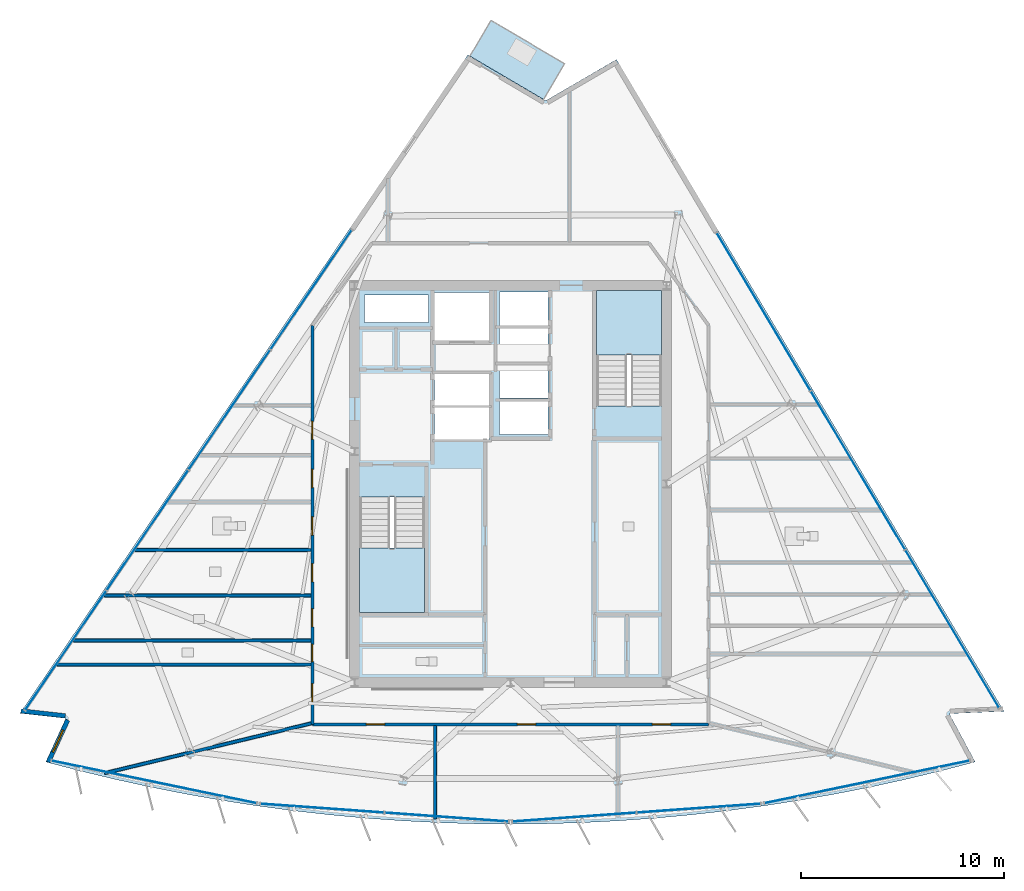
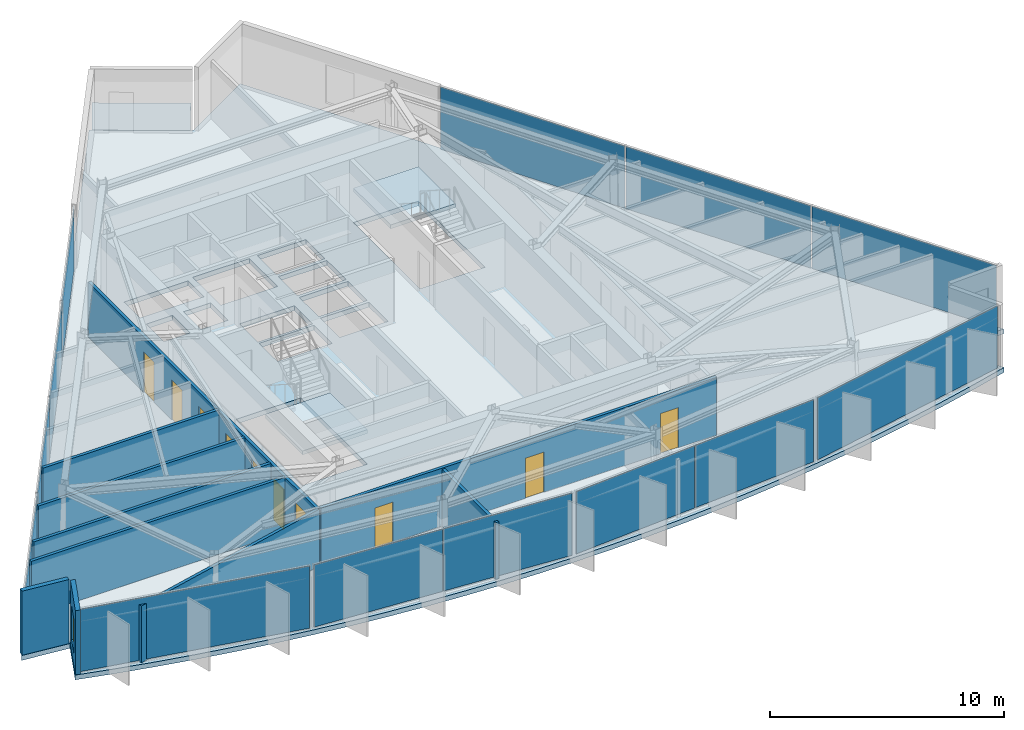
# One storey, part 6 of 13: 13 plates, 10 doors, 10 walls, 4 slabs, 1 window, 11 openings, 8 elements without a shape of their own.
"""IFC4 building model written with IfcOpenShell, lengths in metres."""

from ifc_helpers import new_model, si_unit, direction, frame, frame_2d, origin, origin_2d, place, context, subcontext, project, spatial, polyline, rectangle, outline, extrude, material, layer, layer_set, type_object, element, fill, aggregate, save


model = new_model("IFC4")

# Units and contexts
model_context = context("Model", 3, precision=1e-05, world=origin(), true_north=direction((0.0, 1.0)))
body_context = subcontext(model_context, "Body", "Model", "MODEL_VIEW")
ifc_project = project(units=[si_unit("LENGTHUNIT", "METRE"), si_unit("AREAUNIT", "SQUARE_METRE"), si_unit("VOLUMEUNIT", "CUBIC_METRE"), si_unit("PLANEANGLEUNIT", "RADIAN"), si_unit("MASSUNIT", "GRAM", prefix="KILO")], contexts=[model_context])

# Site, building, storey
site_placement = place(None, origin())
site = spatial("IfcSite", under=ifc_project, at=site_placement, CompositionType="ELEMENT")
building_placement = place(site_placement, origin())
building = spatial("IfcBuilding", under=site, at=building_placement, Name="Savorim Split Tower", CompositionType="ELEMENT")
storey_placement = place(building_placement, frame((0.0, 0.0, 254.39990234375)))
storey = spatial("IfcBuildingStorey", under=building, at=storey_placement, Name="L67", CompositionType="ELEMENT", Elevation=254.39990234375)

# Curtain wall, plate
ifc_material_1 = material(Name="Dark Ceramic-Fritted Insulated Glass", Category="glass")
curtain_wall_type = type_object("IfcCurtainWallType", Name="CW-TWR-FRIT-B", PredefinedType="NOTDEFINED", material=ifc_material_1)
curtain_wall_1_placement = place(storey_placement, origin())
curtain_wall_1 = element("IfcCurtainWall", 1, at=curtain_wall_1_placement, inside=storey, type_object=curtain_wall_type, Name="L67 Curtain Wall CW-L67-SF1", PredefinedType="NOTDEFINED")
ifc_layer_1 = layer(ifc_material_1, 0.02587890625)
ifc_layer_set_1 = layer_set([ifc_layer_1], Name="CWP-FRITB-26")
plate_type = type_object("IfcPlateType", Name="CWP-FRITB-26", PredefinedType="CURTAIN_PANEL", material=ifc_layer_set_1)
plate_1_placement = place(storey_placement, frame((-17.60107421875, -14.31982421875, 0.050048828125), z_axis=(0.0, 0.0, 1.0), x_axis=(0.979135673129, -0.20320761208, 0.0)))
plate_1 = element("IfcPlate", 2, at=plate_1_placement, type_object=plate_type, Name="CW-03 panel 1.1", PredefinedType="CURTAIN_PANEL", context=body_context, shape_type="SweptSolid", body=[
    extrude(rectangle(XDim=10.310302734375, YDim=0.02587890625, at=origin_2d()), origin(), (0.0, 0.0, 1.0), 3.25),
])
aggregate(curtain_wall_1, [plate_1])

# Curtain wall, plates
curtain_wall_2_placement = place(storey_placement, origin())
curtain_wall_2 = element("IfcCurtainWall", 3, at=curtain_wall_2_placement, inside=storey, type_object=curtain_wall_type, Name="L67 Curtain Wall CW-L67-SF2", PredefinedType="NOTDEFINED")
plate_2_placement = place(storey_placement, frame((-9.291748046875, -15.6162109375, 0.050048828125), z_axis=(0.0, 0.0, 1.0), x_axis=(0.997436125678, -0.071562386711, 0.0)))
plate_2 = element("IfcPlate", 4, at=plate_2_placement, type_object=plate_type, Name="CW-03 panel 1.1", PredefinedType="CURTAIN_PANEL", context=body_context, shape_type="SweptSolid", body=[
    extrude(rectangle(XDim=6.09619140625, YDim=0.02587890625, at=origin_2d()), origin(), (0.0, 0.0, 1.0), 3.25),
])
plate_3_placement = place(storey_placement, frame((-3.1513671875, -16.056884765625, 0.050048828125), z_axis=(0.0, 0.0, 1.0), x_axis=(0.997436125678, -0.071562386711, 0.0)))
plate_3 = element("IfcPlate", 5, at=plate_3_placement, type_object=plate_type, Name="CW-03 panel 2.1", PredefinedType="CURTAIN_PANEL", context=body_context, shape_type="SweptSolid", body=[
    extrude(rectangle(XDim=6.09619140625, YDim=0.02587890625, at=origin_2d()), origin(), (0.0, 0.0, 1.0), 3.25),
])
aggregate(curtain_wall_2, [plate_2, plate_3])

curtain_wall_3_placement = place(storey_placement, origin())
curtain_wall_3 = element("IfcCurtainWall", 6, at=curtain_wall_3_placement, inside=storey, type_object=curtain_wall_type, Name="L67 Curtain Wall CW-L67-SF3", PredefinedType="NOTDEFINED")
plate_4_placement = place(storey_placement, frame((3.1513671875, -16.056884765625, 0.050048828125), z_axis=(0.0, 0.0, 1.0), x_axis=(0.997436125678, 0.071562386711, 0.0)))
plate_4 = element("IfcPlate", 7, at=plate_4_placement, type_object=plate_type, Name="CW-03 panel 1.1", PredefinedType="CURTAIN_PANEL", context=body_context, shape_type="SweptSolid", body=[
    extrude(rectangle(XDim=6.09619140625, YDim=0.02587890625, at=origin_2d()), origin(), (0.0, 0.0, 1.0), 3.25),
])
plate_5_placement = place(storey_placement, frame((9.291748046875, -15.6162109375, 0.050048828125), z_axis=(0.0, 0.0, 1.0), x_axis=(0.997436125678, 0.071562386711, 0.0)))
plate_5 = element("IfcPlate", 8, at=plate_5_placement, type_object=plate_type, Name="CW-03 panel 2.1", PredefinedType="CURTAIN_PANEL", context=body_context, shape_type="SweptSolid", body=[
    extrude(rectangle(XDim=6.09619140625, YDim=0.02587890625, at=origin_2d()), origin(), (0.0, 0.0, 1.0), 3.25),
])
aggregate(curtain_wall_3, [plate_4, plate_5])

# Curtain wall, plate
curtain_wall_4_placement = place(storey_placement, origin())
curtain_wall_4 = element("IfcCurtainWall", 9, at=curtain_wall_4_placement, inside=storey, type_object=curtain_wall_type, Name="L67 Curtain Wall CW-L67-SF4", PredefinedType="NOTDEFINED")
plate_6_placement = place(storey_placement, frame((17.60107421875, -14.31982421875, 0.050048828125), z_axis=(0.0, 0.0, 1.0), x_axis=(0.979135673129, 0.20320761208, 0.0)))
plate_6 = element("IfcPlate", 10, at=plate_6_placement, type_object=plate_type, Name="CW-03 panel 1.1", PredefinedType="CURTAIN_PANEL", context=body_context, shape_type="SweptSolid", body=[
    extrude(rectangle(XDim=10.310302734375, YDim=0.02587890625, at=origin_2d()), origin(), (0.0, 0.0, 1.0), 3.25),
])
aggregate(curtain_wall_4, [plate_6])

# Curtain wall, plates
curtain_wall_5_placement = place(storey_placement, origin())
curtain_wall_5 = element("IfcCurtainWall", 11, at=curtain_wall_5_placement, inside=storey, type_object=curtain_wall_type, Name="L67 Curtain Wall CW-L67-EAST", PredefinedType="NOTDEFINED")
plate_7_placement = place(storey_placement, frame((21.8134765625, -6.76904296875, 0.050048828125), z_axis=(0.0, 0.0, 1.0), x_axis=(-0.511090267573, 0.859527043432, 0.0)))
plate_7 = element("IfcPlate", 12, at=plate_7_placement, type_object=plate_type, Name="CW-03 panel 1.1", PredefinedType="CURTAIN_PANEL", context=body_context, shape_type="SweptSolid", body=[
    extrude(rectangle(XDim=9.0380859375, YDim=0.02587890625, at=origin_2d()), origin(), (0.0, 0.0, 1.0), 3.25),
])
plate_8_placement = place(storey_placement, frame((17.15576171875, 1.064208984375, 0.050048828125), z_axis=(0.0, 0.0, 1.0), x_axis=(-0.511090267573, 0.859527043432, 0.0)))
plate_8 = element("IfcPlate", 13, at=plate_8_placement, type_object=plate_type, Name="CW-03 panel 2.1", PredefinedType="CURTAIN_PANEL", context=body_context, shape_type="SweptSolid", body=[
    extrude(rectangle(XDim=9.068115234375, YDim=0.02587890625, at=origin_2d()), origin(), (0.0, 0.0, 1.0), 3.25),
])
plate_9_placement = place(storey_placement, frame((12.498046875, 8.897216796875, 0.050048828125), z_axis=(0.0, 0.0, 1.0), x_axis=(-0.511090267573, 0.859527043432, 0.0)))
plate_9 = element("IfcPlate", 14, at=plate_9_placement, type_object=plate_type, Name="CW-03 panel 3.1", PredefinedType="CURTAIN_PANEL", context=body_context, shape_type="SweptSolid", body=[
    extrude(rectangle(XDim=9.0380859375, YDim=0.02587890625, at=origin_2d()), origin(), (0.0, 0.0, 1.0), 3.25),
])
aggregate(curtain_wall_5, [plate_7, plate_8, plate_9])

curtain_wall_6_placement = place(storey_placement, origin())
curtain_wall_6 = element("IfcCurtainWall", 15, at=curtain_wall_6_placement, inside=storey, type_object=curtain_wall_type, Name="L67 Curtain Wall CW-L67-WEST", PredefinedType="NOTDEFINED")
plate_10_placement = place(storey_placement, frame((-9.847900390625, 9.9853515625, 0.050048828125), z_axis=(0.0, 0.0, 1.0), x_axis=(-0.562470325215, -0.826817472755, 0.0)))
plate_10 = element("IfcPlate", 16, at=plate_10_placement, type_object=plate_type, Name="CW-03 panel 1.1", PredefinedType="CURTAIN_PANEL", context=body_context, shape_type="SweptSolid", body=[
    extrude(rectangle(XDim=7.1015625, YDim=0.02587890625, at=origin_2d()), origin(), (0.0, 0.0, 1.0), 3.25),
])
plate_11_placement = place(storey_placement, frame((-13.884521484375, 4.0517578125, 0.050048828125), z_axis=(0.0, 0.0, 1.0), x_axis=(-0.562470325215, -0.826817472755, 0.0)))
plate_11 = element("IfcPlate", 17, at=plate_11_placement, type_object=plate_type, Name="CW-03 panel 2.1", PredefinedType="CURTAIN_PANEL", context=body_context, shape_type="SweptSolid", body=[
    extrude(rectangle(XDim=7.131591796875, YDim=0.02587890625, at=origin_2d()), origin(), (0.0, 0.0, 1.0), 3.25),
])
plate_12_placement = place(storey_placement, frame((-17.929443359375, -1.894287109375, 0.050048828125), z_axis=(0.0, 0.0, 1.0), x_axis=(-0.562470325215, -0.826817472755, 0.0)))
plate_12 = element("IfcPlate", 18, at=plate_12_placement, type_object=plate_type, Name="CW-03 panel 3.1", PredefinedType="CURTAIN_PANEL", context=body_context, shape_type="SweptSolid", body=[
    extrude(rectangle(XDim=7.131591796875, YDim=0.02587890625, at=origin_2d()), origin(), (0.0, 0.0, 1.0), 3.25),
])
plate_13_placement = place(storey_placement, frame((-21.966064453125, -7.827880859375, 0.050048828125), z_axis=(0.0, 0.0, 1.0), x_axis=(-0.562470325215, -0.826817472755, 0.0)))
plate_13 = element("IfcPlate", 19, at=plate_13_placement, type_object=plate_type, Name="CW-03 panel 4.1", PredefinedType="CURTAIN_PANEL", context=body_context, shape_type="SweptSolid", body=[
    extrude(rectangle(XDim=7.1015625, YDim=0.02587890625, at=origin_2d()), origin(), (0.0, 0.0, 1.0), 3.25),
])
aggregate(curtain_wall_6, [plate_10, plate_11, plate_12, plate_13])

# Slab
ifc_material_2 = material(Name="Concrete C50/60", Category="concrete")
ifc_layer_2 = layer(ifc_material_2, 0.219970703125)
ifc_layer_set_2 = layer_set([ifc_layer_2], Name="SLB-BAL-220")
slab_type_1 = type_object("IfcSlabType", Name="SLB-BAL-220", PredefinedType="FLOOR", material=ifc_layer_set_2)
slab_1_placement = place(storey_placement, frame((0.0, 0.0, -0.219970703125)))
element("IfcSlab", 20, at=slab_1_placement, inside=storey, type_object=slab_type_1, Name="L67 Notched Corner Planted Tree Balcony Slab", PredefinedType="FLOOR", context=body_context, shape_type="SweptSolid", body=[
    extrude(outline(polyline([(-2.001708984375, 21.5205078125), (1.63623046875, 19.38232421875), (2.67236328125, 21.1455078125), (-0.96533203125, 23.283447265625), (-2.001708984375, 21.5205078125)])), origin(), (0.0, 0.0, 1.0), 0.219970703125),
])

# Stair, slab
stair_type = type_object("IfcStairType", Name="STR-DOG-3600", PredefinedType="HALF_TURN_STAIR", material=ifc_material_2)
stair_1_placement = place(storey_placement, origin())
stair_1 = element("IfcStair", 21, at=stair_1_placement, inside=storey, type_object=stair_type, Name="L67 Core Protected Exit Stair ST-1", PredefinedType="HALF_TURN_STAIR")
ifc_layer_3 = layer(ifc_material_2, 0.199951171875)
ifc_layer_set_3 = layer_set([ifc_layer_3], Name="SLB-LND-200")
slab_type_2 = type_object("IfcSlabType", Name="SLB-LND-200", PredefinedType="LANDING", material=ifc_layer_set_3)
slab_2_placement = place(storey_placement, frame((0.0, 0.0, 1.60009765625)))
slab_2 = element("IfcSlab", 22, at=slab_2_placement, type_object=slab_type_2, Name="ST-1 landing 1", PredefinedType="LANDING", context=body_context, shape_type="SweptSolid", body=[
    extrude(outline(polyline([(-7.449951171875, -2.77001953125), (-7.449951171875, -5.949951171875), (-4.25, -5.949951171875), (-4.25, -2.77001953125), (-7.449951171875, -2.77001953125)])), origin(), (0.0, 0.0, 1.0), 0.199951171875),
])
aggregate(stair_1, [slab_2])

stair_2_placement = place(storey_placement, origin())
stair_2 = element("IfcStair", 23, at=stair_2_placement, inside=storey, type_object=stair_type, Name="L67 Core Protected Exit Stair ST-2", PredefinedType="HALF_TURN_STAIR")
slab_3_placement = place(storey_placement, frame((0.0, 0.0, 1.60009765625)))
slab_3 = element("IfcSlab", 24, at=slab_3_placement, type_object=slab_type_2, Name="ST-2 landing 1", PredefinedType="LANDING", context=body_context, shape_type="SweptSolid", body=[
    extrude(outline(polyline([(7.449951171875, 6.77001953125), (7.449951171875, 9.949951171875), (4.25, 9.949951171875), (4.25, 6.77001953125), (7.449951171875, 6.77001953125)])), origin(), (0.0, 0.0, 1.0), 0.199951171875),
])
aggregate(stair_2, [slab_3])

# Slab
ifc_layer_4 = layer(ifc_material_2, 0.25)
ifc_layer_set_4 = layer_set([ifc_layer_4], Name="SLB-TWR-250")
slab_type_3 = type_object("IfcSlabType", Name="SLB-TWR-250", PredefinedType="FLOOR", material=ifc_layer_set_4)
slab_4_placement = place(storey_placement, frame((0.0, 0.0, -0.25)))
element("IfcSlab", 25, at=slab_4_placement, inside=storey, type_object=slab_type_3, Name="L67 Structural Floor Slab", PredefinedType="FLOOR", context=body_context, shape_type="SweptSolid", body=[
    extrude(outline(polyline([(-22.947265625, -13.332763671875), (-21.21923828125, -13.78466796875), (-19.482421875, -14.201171875), (-17.7373046875, -14.58203125), (-15.984619140625, -14.927001953125), (-14.2255859375, -15.236083984375), (-12.46044921875, -15.50927734375), (-10.690185546875, -15.74609375), (-8.915283203125, -15.94677734375), (-7.13671875, -16.111083984375), (-5.35498046875, -16.23876953125), (-3.5712890625, -16.330078125), (-1.785888671875, -16.385009765625), (0.0, -16.4033203125), (1.785888671875, -16.385009765625), (3.5712890625, -16.330078125), (5.35498046875, -16.23876953125), (7.13671875, -16.111083984375), (8.915283203125, -15.94677734375), (10.690185546875, -15.74609375), (12.46044921875, -15.50927734375), (14.2255859375, -15.236083984375), (15.984619140625, -14.927001953125), (17.7373046875, -14.58203125), (19.482421875, -14.201171875), (21.21923828125, -13.78466796875), (22.947265625, -13.332763671875), (21.667236328125, -10.947509765625), (24.369384765625, -10.83251953125), (5.23095703125, 21.353515625), (1.7373046875, 19.317138671875), (-2.107666015625, 21.576904296875), (-24.219970703125, -10.927734375), (-21.958251953125, -11.180419921875), (-22.947265625, -13.332763671875)]), holes=[polyline([(-7.449951171875, -0.25390625), (-7.449951171875, -5.949951171875), (-4.25, -5.949951171875), (-4.25, -0.25390625), (-7.449951171875, -0.25390625)]), polyline([(7.449951171875, 4.25390625), (7.449951171875, 9.949951171875), (4.25, 9.949951171875), (4.25, 4.25390625), (7.449951171875, 4.25390625)]), polyline([(-0.550048828125, 2.830078125), (1.85009765625, 2.830078125), (1.85009765625, 4.469970703125), (-0.550048828125, 4.469970703125), (-0.550048828125, 2.830078125)]), polyline([(-0.550048828125, 4.6298828125), (1.85009765625, 4.6298828125), (1.85009765625, 6.27001953125), (-0.550048828125, 6.27001953125), (-0.550048828125, 4.6298828125)]), polyline([(-0.550048828125, 6.429931640625), (1.85009765625, 6.429931640625), (1.85009765625, 8.070068359375), (-0.550048828125, 8.070068359375), (-0.550048828125, 6.429931640625)]), polyline([(-0.550048828125, 8.22998046875), (1.85009765625, 8.22998046875), (1.85009765625, 9.8701171875), (-0.550048828125, 9.8701171875), (-0.550048828125, 8.22998046875)]), polyline([(-3.75, 2.60009765625), (-1.050048828125, 2.60009765625), (-1.050048828125, 4.159912109375), (-3.75, 4.159912109375), (-3.75, 2.60009765625)]), polyline([(-3.75, 4.280029296875), (-1.050048828125, 4.280029296875), (-1.050048828125, 5.840087890625), (-3.75, 5.840087890625), (-3.75, 4.280029296875)]), polyline([(-3.75, 7.449951171875), (-0.949951171875, 7.449951171875), (-0.949951171875, 9.85009765625), (-3.75, 9.85009765625), (-3.75, 7.449951171875)]), polyline([(-7.219970703125, 6.320068359375), (-5.919921875, 6.320068359375), (-5.919921875, 7.820068359375), (-7.219970703125, 7.820068359375), (-7.219970703125, 6.320068359375)]), polyline([(-5.3798828125, 6.320068359375), (-4.050048828125, 6.320068359375), (-4.050048828125, 7.820068359375), (-5.3798828125, 7.820068359375), (-5.3798828125, 6.320068359375)]), polyline([(-7.219970703125, 8.360107421875), (-4.050048828125, 8.360107421875), (-4.050048828125, 9.719970703125), (-7.219970703125, 9.719970703125), (-7.219970703125, 8.360107421875)])]), origin(), (0.0, 0.0, 1.0), 0.25),
])

# Wall
ifc_material_3 = material(Name="Precast concrete C40/50", Category="concrete")
ifc_layer_5 = layer(ifc_material_3, 0.219970703125)
ifc_layer_set_5 = layer_set([ifc_layer_5], Name="WAL-EXT-CRN220")
wall_type_1 = type_object("IfcWallType", Name="WAL-EXT-CRN220", PredefinedType="SOLIDWALL", material=ifc_layer_set_5)
wall_1_placement = place(storey_placement, frame((-21.984619140625, -11.056640625, 0.0), z_axis=(0.0, 0.0, 1.0), x_axis=(-0.993823926228, 0.110968480463, 0.0)))
element("IfcWall", 26, at=wall_1_placement, inside=storey, type_object=wall_type_1, Name="L67 Notched Corner Facade Wall SW1", PredefinedType="SOLIDWALL", context=body_context, shape_type="SweptSolid", body=[
    extrude(rectangle(XDim=2.19580078125, YDim=0.219970703125, at=frame_2d((1.097900390625, 0.0))), origin(), (0.0, 0.0, 1.0), 3.35009765625),
])

# Wall, opening, window
wall_2_placement = place(storey_placement, frame((-22.821533203125, -13.3466796875, 0.0), z_axis=(0.0, 0.0, 1.0), x_axis=(0.417447808253, 0.908700900949, 0.0)))
wall_2 = element("IfcWall", 27, at=wall_2_placement, inside=storey, type_object=wall_type_1, Name="L67 Notched Corner Facade Wall SW", PredefinedType="SOLIDWALL", context=body_context, shape_type="SweptSolid", body=[
    extrude(rectangle(XDim=2.2890625, YDim=0.219970703125, at=frame_2d((1.14453125, 0.0))), origin(), (0.0, 0.0, 1.0), 3.35009765625),
])
opening_1_placement = place(wall_2_placement, frame((0.54443359375, 0.0, 0.6201171875)))
opening_1 = element("IfcOpeningElement", 28, at=opening_1_placement, cuts=wall_2, Name="Opening WN-08", PredefinedType="OPENING", context=body_context, shape_type="SweptSolid", body=[
    extrude(rectangle(XDim=1.199951171875, YDim=1.800048828125, at=frame_2d((0.60009765625, 0.89990234375))), frame((0.0, 0.119873046875, 0.0), z_axis=(0.0, -1.0, 0.0), x_axis=(1.0, 0.0, 0.0)), (0.0, 0.0, 1.0), 0.239990234375),
])
ifc_material_4 = material(Name="Low-E Operable Double Glazing", Category="glass")
window_type = type_object("IfcWindowType", Name="WIN-TWR-1200x1800", PartitioningType="SINGLE_PANEL", PredefinedType="WINDOW", material=ifc_material_4)
window_placement = place(opening_1_placement, origin())
window = element("IfcWindow", 29, at=window_placement, inside=storey, type_object=window_type, Name="L67 Operable Corner Window SW", OverallHeight=1.800048828125, OverallWidth=1.199951171875, PartitioningType="SINGLE_PANEL", PredefinedType="WINDOW", context=body_context, shape_type="SweptSolid", body=[
    extrude(rectangle(XDim=1.199951171875, YDim=1.800048828125, at=frame_2d((0.60009765625, 0.89990234375))), frame((0.0, 0.030029296875, 0.0), z_axis=(0.0, -1.0, 0.0), x_axis=(1.0, 0.0, 0.0)), (0.0, 0.0, 1.0), 0.06005859375),
])
fill(opening_1, window)

# Wall, openings, doors
ifc_material_5 = material(Name="Acoustic Gypsum Partition Board")
ifc_layer_6 = layer(ifc_material_5, 0.14990234375)
ifc_layer_set_6 = layer_set([ifc_layer_6], Name="WAL-PAR-150")
wall_type_2 = type_object("IfcWallType", Name="WAL-PAR-150", PredefinedType="PARTITIONING", material=ifc_layer_set_6)
wall_3_placement = place(storey_placement, frame((-9.780029296875, -11.47998046875, 0.0), z_axis=(0.0, 0.0, 1.0), x_axis=(0.0, 1.0, 0.0)))
wall_3 = element("IfcWall", 30, at=wall_3_placement, inside=storey, type_object=wall_type_2, Name="L67 Partition W-L67-COR-01", PredefinedType="PARTITIONING", context=body_context, shape_type="SweptSolid", body=[
    extrude(rectangle(XDim=19.705810546875, YDim=0.14990234375, at=frame_2d((9.85302734375, 0.0))), origin(), (0.0, 0.0, 1.0), 2.875),
])
opening_2_placement = place(wall_3_placement, frame((9.347412109375, 0.0, 0.0)))
opening_2 = element("IfcOpeningElement", 31, at=opening_2_placement, cuts=wall_3, Name="Opening DI-11", PredefinedType="OPENING", context=body_context, shape_type="SweptSolid", body=[
    extrude(rectangle(XDim=0.89990234375, YDim=2.10009765625, at=frame_2d((0.449951171875, 1.050048828125))), frame((0.0, 0.0849609375, 0.0), z_axis=(0.0, -1.0, 0.0), x_axis=(1.0, 0.0, 0.0)), (0.0, 0.0, 1.0), 0.169921875),
])
opening_3_placement = place(wall_3_placement, frame((7.040771484375, 0.0, 0.0)))
opening_3 = element("IfcOpeningElement", 32, at=opening_3_placement, cuts=wall_3, Name="Opening DI-06", PredefinedType="OPENING", context=body_context, shape_type="SweptSolid", body=[
    extrude(rectangle(XDim=0.89990234375, YDim=2.10009765625, at=frame_2d((0.449951171875, 1.050048828125))), frame((0.0, 0.0849609375, 0.0), z_axis=(0.0, -1.0, 0.0), x_axis=(1.0, 0.0, 0.0)), (0.0, 0.0, 1.0), 0.169921875),
])
opening_4_placement = place(wall_3_placement, frame((4.81103515625, 0.0, 0.0)))
opening_4 = element("IfcOpeningElement", 33, at=opening_4_placement, cuts=wall_3, Name="Opening DI-06", PredefinedType="OPENING", context=body_context, shape_type="SweptSolid", body=[
    extrude(rectangle(XDim=0.89990234375, YDim=2.10009765625, at=frame_2d((0.449951171875, 1.050048828125))), frame((0.0, 0.0849609375, 0.0), z_axis=(0.0, -1.0, 0.0), x_axis=(1.0, 0.0, 0.0)), (0.0, 0.0, 1.0), 0.169921875),
])
opening_5_placement = place(wall_3_placement, frame((3.09912109375, 0.0, 0.0)))
opening_5 = element("IfcOpeningElement", 34, at=opening_5_placement, cuts=wall_3, Name="Opening DI-13", PredefinedType="OPENING", context=body_context, shape_type="SweptSolid", body=[
    extrude(rectangle(XDim=0.85009765625, YDim=2.10009765625, at=frame_2d((0.425048828125, 1.050048828125))), frame((0.0, 0.0849609375, 0.0), z_axis=(0.0, -1.0, 0.0), x_axis=(1.0, 0.0, 0.0)), (0.0, 0.0, 1.0), 0.169921875),
])
opening_6_placement = place(wall_3_placement, frame((1.1142578125, 0.0, 0.0)))
opening_6 = element("IfcOpeningElement", 35, at=opening_6_placement, cuts=wall_3, Name="Opening DI-06", PredefinedType="OPENING", context=body_context, shape_type="SweptSolid", body=[
    extrude(rectangle(XDim=0.89990234375, YDim=2.10009765625, at=frame_2d((0.449951171875, 1.050048828125))), frame((0.0, 0.0849609375, 0.0), z_axis=(0.0, -1.0, 0.0), x_axis=(1.0, 0.0, 0.0)), (0.0, 0.0, 1.0), 0.169921875),
])
opening_7_placement = place(wall_3_placement, frame((14.070068359375, 0.0, 0.0)))
opening_7 = element("IfcOpeningElement", 36, at=opening_7_placement, cuts=wall_3, Name="Opening DI-06", PredefinedType="OPENING", context=body_context, shape_type="SweptSolid", body=[
    extrude(rectangle(XDim=0.89990234375, YDim=2.10009765625, at=frame_2d((0.449951171875, 1.050048828125))), frame((0.0, 0.0849609375, 0.0), z_axis=(0.0, -1.0, 0.0), x_axis=(1.0, 0.0, 0.0)), (0.0, 0.0, 1.0), 0.169921875),
])
opening_8_placement = place(wall_3_placement, frame((11.6904296875, 0.0, 0.0)))
opening_8 = element("IfcOpeningElement", 37, at=opening_8_placement, cuts=wall_3, Name="Opening DI-06", PredefinedType="OPENING", context=body_context, shape_type="SweptSolid", body=[
    extrude(rectangle(XDim=0.89990234375, YDim=2.10009765625, at=frame_2d((0.449951171875, 1.050048828125))), frame((0.0, 0.0849609375, 0.0), z_axis=(0.0, -1.0, 0.0), x_axis=(1.0, 0.0, 0.0)), (0.0, 0.0, 1.0), 0.169921875),
])
ifc_material_6 = material(Name="Timber Fire Door Leaf", Category="wood")
door_type_1 = type_object("IfcDoorType", Name="DOR-FIR-850", OperationType="NOTDEFINED", PredefinedType="DOOR", material=ifc_material_6)
door_1_placement = place(opening_5_placement, origin())
door_1 = element("IfcDoor", 38, at=door_1_placement, inside=storey, type_object=door_type_1, Name="DR-L67-RM04 - L67 Community Laundry Room Entry Door", OperationType="SINGLE_SWING_LEFT", OverallHeight=2.10009765625, OverallWidth=0.85009765625, PredefinedType="DOOR", context=body_context, shape_type="SweptSolid", body=[
    extrude(rectangle(XDim=0.85009765625, YDim=2.10009765625, at=frame_2d((0.425048828125, 1.050048828125))), frame((0.0, 0.02490234375, 0.0), z_axis=(0.0, -1.0, 0.0), x_axis=(1.0, 0.0, 0.0)), (0.0, 0.0, 1.0), 0.050048828125),
])
fill(opening_5, door_1)
door_type_2 = type_object("IfcDoorType", Name="DOR-FIR-900", OperationType="NOTDEFINED", PredefinedType="DOOR", material=ifc_material_6)
door_2_placement = place(opening_3_placement, origin())
door_2 = element("IfcDoor", 39, at=door_2_placement, inside=storey, type_object=door_type_2, Name="DR-L67-RM02 - L67 Shared Kitchen Entry Door", OperationType="SINGLE_SWING_LEFT", OverallHeight=2.10009765625, OverallWidth=0.89990234375, PredefinedType="DOOR", context=body_context, shape_type="SweptSolid", body=[
    extrude(rectangle(XDim=0.89990234375, YDim=2.10009765625, at=frame_2d((0.449951171875, 1.050048828125))), frame((0.0, 0.02490234375, 0.0), z_axis=(0.0, -1.0, 0.0), x_axis=(1.0, 0.0, 0.0)), (0.0, 0.0, 1.0), 0.050048828125),
])
fill(opening_3, door_2)
door_3_placement = place(opening_4_placement, origin())
door_3 = element("IfcDoor", 40, at=door_3_placement, inside=storey, type_object=door_type_2, Name="DR-L67-RM03 - L67 Shared Kitchen Entry Door", OperationType="SINGLE_SWING_RIGHT", OverallHeight=2.10009765625, OverallWidth=0.89990234375, PredefinedType="DOOR", context=body_context, shape_type="SweptSolid", body=[
    extrude(rectangle(XDim=0.89990234375, YDim=2.10009765625, at=frame_2d((0.449951171875, 1.050048828125))), frame((0.0, 0.02490234375, 0.0), z_axis=(0.0, -1.0, 0.0), x_axis=(1.0, 0.0, 0.0)), (0.0, 0.0, 1.0), 0.050048828125),
])
fill(opening_4, door_3)
door_4_placement = place(opening_6_placement, origin())
door_4 = element("IfcDoor", 41, at=door_4_placement, inside=storey, type_object=door_type_2, Name="DR-L67-RM05 - L67 Co-Working Commons Entry Door", OperationType="SINGLE_SWING_RIGHT", OverallHeight=2.10009765625, OverallWidth=0.89990234375, PredefinedType="DOOR", context=body_context, shape_type="SweptSolid", body=[
    extrude(rectangle(XDim=0.89990234375, YDim=2.10009765625, at=frame_2d((0.449951171875, 1.050048828125))), frame((0.0, 0.02490234375, 0.0), z_axis=(0.0, -1.0, 0.0), x_axis=(1.0, 0.0, 0.0)), (0.0, 0.0, 1.0), 0.050048828125),
])
fill(opening_6, door_4)
door_5_placement = place(opening_7_placement, origin())
door_5 = element("IfcDoor", 42, at=door_5_placement, inside=storey, type_object=door_type_2, Name="DR-L67-RM19 - L67 Co-Living Bedroom Entry Door", OperationType="SINGLE_SWING_RIGHT", OverallHeight=2.10009765625, OverallWidth=0.89990234375, PredefinedType="DOOR", context=body_context, shape_type="SweptSolid", body=[
    extrude(rectangle(XDim=0.89990234375, YDim=2.10009765625, at=frame_2d((0.449951171875, 1.050048828125))), frame((0.0, 0.02490234375, 0.0), z_axis=(0.0, -1.0, 0.0), x_axis=(1.0, 0.0, 0.0)), (0.0, 0.0, 1.0), 0.050048828125),
])
fill(opening_7, door_5)
door_6_placement = place(opening_8_placement, origin())
door_6 = element("IfcDoor", 43, at=door_6_placement, inside=storey, type_object=door_type_2, Name="DR-L67-RM20 - L67 Quiet Study Room Entry Door", OperationType="SINGLE_SWING_LEFT", OverallHeight=2.10009765625, OverallWidth=0.89990234375, PredefinedType="DOOR", context=body_context, shape_type="SweptSolid", body=[
    extrude(rectangle(XDim=0.89990234375, YDim=2.10009765625, at=frame_2d((0.449951171875, 1.050048828125))), frame((0.0, 0.02490234375, 0.0), z_axis=(0.0, -1.0, 0.0), x_axis=(1.0, 0.0, 0.0)), (0.0, 0.0, 1.0), 0.050048828125),
])
fill(opening_8, door_6)
ifc_material_7 = material(Name="Oak Veneer Acoustic Door")
door_type_3 = type_object("IfcDoorType", Name="DOR-WC-900", OperationType="NOTDEFINED", PredefinedType="DOOR", material=ifc_material_7)
door_7_placement = place(opening_2_placement, origin())
door_7 = element("IfcDoor", 44, at=door_7_placement, inside=storey, type_object=door_type_3, Name="DR-L67-RM01 - L67 Shared Bathroom Entry Door", OperationType="SINGLE_SWING_RIGHT", OverallHeight=2.10009765625, OverallWidth=0.89990234375, PredefinedType="DOOR", context=body_context, shape_type="SweptSolid", body=[
    extrude(rectangle(XDim=0.89990234375, YDim=2.10009765625, at=frame_2d((0.449951171875, 1.050048828125))), frame((0.0, 0.02490234375, 0.0), z_axis=(0.0, -1.0, 0.0), x_axis=(1.0, 0.0, 0.0)), (0.0, 0.0, 1.0), 0.050048828125),
])
fill(opening_2, door_7)

wall_4_placement = place(storey_placement, frame((9.780029296875, -11.47998046875, 0.0), z_axis=(0.0, 0.0, 1.0), x_axis=(-1.0, 0.0, 0.0)))
wall_4 = element("IfcWall", 45, at=wall_4_placement, inside=storey, type_object=wall_type_2, Name="L67 Partition W-L67-COR-06", PredefinedType="PARTITIONING", context=body_context, shape_type="SweptSolid", body=[
    extrude(rectangle(XDim=19.56005859375, YDim=0.14990234375, at=frame_2d((9.780029296875, 0.0))), origin(), (0.0, 0.0, 1.0), 3.025146484375),
])
opening_9_placement = place(wall_4_placement, frame((15.990234375, 0.0, 0.0)))
opening_9 = element("IfcOpeningElement", 46, at=opening_9_placement, cuts=wall_4, Name="Opening DI-06", PredefinedType="OPENING", context=body_context, shape_type="SweptSolid", body=[
    extrude(rectangle(XDim=0.89990234375, YDim=2.10009765625, at=frame_2d((0.449951171875, 1.050048828125))), frame((0.0, 0.0849609375, 0.0), z_axis=(0.0, -1.0, 0.0), x_axis=(1.0, 0.0, 0.0)), (0.0, 0.0, 1.0), 0.169921875),
])
opening_10_placement = place(wall_4_placement, frame((8.538818359375, 0.0, 0.0)))
opening_10 = element("IfcOpeningElement", 47, at=opening_10_placement, cuts=wall_4, Name="Opening DI-06", PredefinedType="OPENING", context=body_context, shape_type="SweptSolid", body=[
    extrude(rectangle(XDim=0.89990234375, YDim=2.10009765625, at=frame_2d((0.449951171875, 1.050048828125))), frame((0.0, 0.0849609375, 0.0), z_axis=(0.0, -1.0, 0.0), x_axis=(1.0, 0.0, 0.0)), (0.0, 0.0, 1.0), 0.169921875),
])
opening_11_placement = place(wall_4_placement, frame((1.878662109375, 0.0, 0.0)))
opening_11 = element("IfcOpeningElement", 48, at=opening_11_placement, cuts=wall_4, Name="Opening DI-06", PredefinedType="OPENING", context=body_context, shape_type="SweptSolid", body=[
    extrude(rectangle(XDim=0.89990234375, YDim=2.10009765625, at=frame_2d((0.449951171875, 1.050048828125))), frame((0.0, 0.0849609375, 0.0), z_axis=(0.0, -1.0, 0.0), x_axis=(1.0, 0.0, 0.0)), (0.0, 0.0, 1.0), 0.169921875),
])
door_8_placement = place(opening_9_placement, origin())
door_8 = element("IfcDoor", 49, at=door_8_placement, inside=storey, type_object=door_type_2, Name="DR-L67-RM06 - L67 Maker Workshop Entry Door", OperationType="SINGLE_SWING_LEFT", OverallHeight=2.10009765625, OverallWidth=0.89990234375, PredefinedType="DOOR", context=body_context, shape_type="SweptSolid", body=[
    extrude(rectangle(XDim=0.89990234375, YDim=2.10009765625, at=frame_2d((0.449951171875, 1.050048828125))), frame((0.0, 0.02490234375, 0.0), z_axis=(0.0, -1.0, 0.0), x_axis=(1.0, 0.0, 0.0)), (0.0, 0.0, 1.0), 0.050048828125),
])
fill(opening_9, door_8)
door_9_placement = place(opening_10_placement, origin())
door_9 = element("IfcDoor", 50, at=door_9_placement, inside=storey, type_object=door_type_2, Name="DR-L67-RM07 - L67 Co-Working Commons Entry Door", OperationType="SINGLE_SWING_RIGHT", OverallHeight=2.10009765625, OverallWidth=0.89990234375, PredefinedType="DOOR", context=body_context, shape_type="SweptSolid", body=[
    extrude(rectangle(XDim=0.89990234375, YDim=2.10009765625, at=frame_2d((0.449951171875, 1.050048828125))), frame((0.0, 0.02490234375, 0.0), z_axis=(0.0, -1.0, 0.0), x_axis=(1.0, 0.0, 0.0)), (0.0, 0.0, 1.0), 0.050048828125),
])
fill(opening_10, door_9)
door_10_placement = place(opening_11_placement, origin())
door_10 = element("IfcDoor", 51, at=door_10_placement, inside=storey, type_object=door_type_2, Name="DR-L67-RM08 - L67 Maker Workshop Entry Door", OperationType="SINGLE_SWING_LEFT", OverallHeight=2.10009765625, OverallWidth=0.89990234375, PredefinedType="DOOR", context=body_context, shape_type="SweptSolid", body=[
    extrude(rectangle(XDim=0.89990234375, YDim=2.10009765625, at=frame_2d((0.449951171875, 1.050048828125))), frame((0.0, 0.02490234375, 0.0), z_axis=(0.0, -1.0, 0.0), x_axis=(1.0, 0.0, 0.0)), (0.0, 0.0, 1.0), 0.050048828125),
])
fill(opening_11, door_10)

# Walls
wall_5_placement = place(storey_placement, frame((-9.8369140625, -11.42724609375, 0.0), z_axis=(0.0, 0.0, 1.0), x_axis=(-0.972169477142, -0.234278696671, 0.0)))
element("IfcWall", 52, at=wall_5_placement, inside=storey, type_object=wall_type_2, Name="L67 Partition W-L67-PRAD01", PredefinedType="PARTITIONING", context=body_context, shape_type="SweptSolid", body=[
    extrude(rectangle(XDim=10.509521484375, YDim=0.14990234375, at=frame_2d((5.2548828125, 0.0))), origin(), (0.0, 0.0, 1.0), 2.965087890625),
])
wall_6_placement = place(storey_placement, frame((-9.840087890625, -5.10595703125, 0.0), z_axis=(0.0, 0.0, 1.0), x_axis=(-1.0, 0.0, 0.0)))
element("IfcWall", 53, at=wall_6_placement, inside=storey, type_object=wall_type_2, Name="L67 Partition W-L67-PRAD10", PredefinedType="PARTITIONING", context=body_context, shape_type="SweptSolid", body=[
    extrude(rectangle(XDim=10.213623046875, YDim=0.14990234375, at=frame_2d((5.10693359375, 0.0))), origin(), (0.0, 0.0, 1.0), 2.875),
])
wall_7_placement = place(storey_placement, frame((-9.840087890625, -8.52978515625, 0.0), z_axis=(0.0, 0.0, 1.0), x_axis=(-1.0, 0.0, 0.0)))
element("IfcWall", 54, at=wall_7_placement, inside=storey, type_object=wall_type_2, Name="L67 Partition W-L67-SUB02", PredefinedType="PARTITIONING", context=body_context, shape_type="SweptSolid", body=[
    extrude(rectangle(XDim=12.54296875, YDim=0.14990234375, at=frame_2d((6.271484375, 0.0))), origin(), (0.0, 0.0, 1.0), 2.875),
])
wall_8_placement = place(storey_placement, frame((-9.840087890625, -2.87255859375, 0.0), z_axis=(0.0, 0.0, 1.0), x_axis=(-1.0, 0.0, 0.0)))
element("IfcWall", 55, at=wall_8_placement, inside=storey, type_object=wall_type_2, Name="L67 Partition W-L67-SUB05", PredefinedType="PARTITIONING", context=body_context, shape_type="SweptSolid", body=[
    extrude(rectangle(XDim=8.6943359375, YDim=0.14990234375, at=frame_2d((4.34716796875, 0.0))), origin(), (0.0, 0.0, 1.0), 2.965087890625),
])
wall_9_placement = place(storey_placement, frame((-9.840087890625, -7.33203125, 0.0), z_axis=(0.0, 0.0, 1.0), x_axis=(-1.0, 0.0, 0.0)))
element("IfcWall", 56, at=wall_9_placement, inside=storey, type_object=wall_type_2, Name="L67 Partition W-L67-SUB06", PredefinedType="PARTITIONING", context=body_context, shape_type="SweptSolid", body=[
    extrude(rectangle(XDim=11.72802734375, YDim=0.14990234375, at=frame_2d((5.864013671875, 0.0))), origin(), (0.0, 0.0, 1.0), 2.875),
])
wall_10_placement = place(storey_placement, frame((-3.71875, -11.5400390625, 0.0), z_axis=(0.0, 0.0, 1.0), x_axis=(0.0, -1.0, 0.0)))
element("IfcWall", 57, at=wall_10_placement, inside=storey, type_object=wall_type_2, Name="L67 Partition W-L67-SUB07", PredefinedType="PARTITIONING", context=body_context, shape_type="SweptSolid", body=[
    extrude(rectangle(XDim=4.6123046875, YDim=0.14990234375, at=frame_2d((2.30615234375, 0.0))), origin(), (0.0, 0.0, 1.0), 2.965087890625),
])

save(model, "model.ifc")
